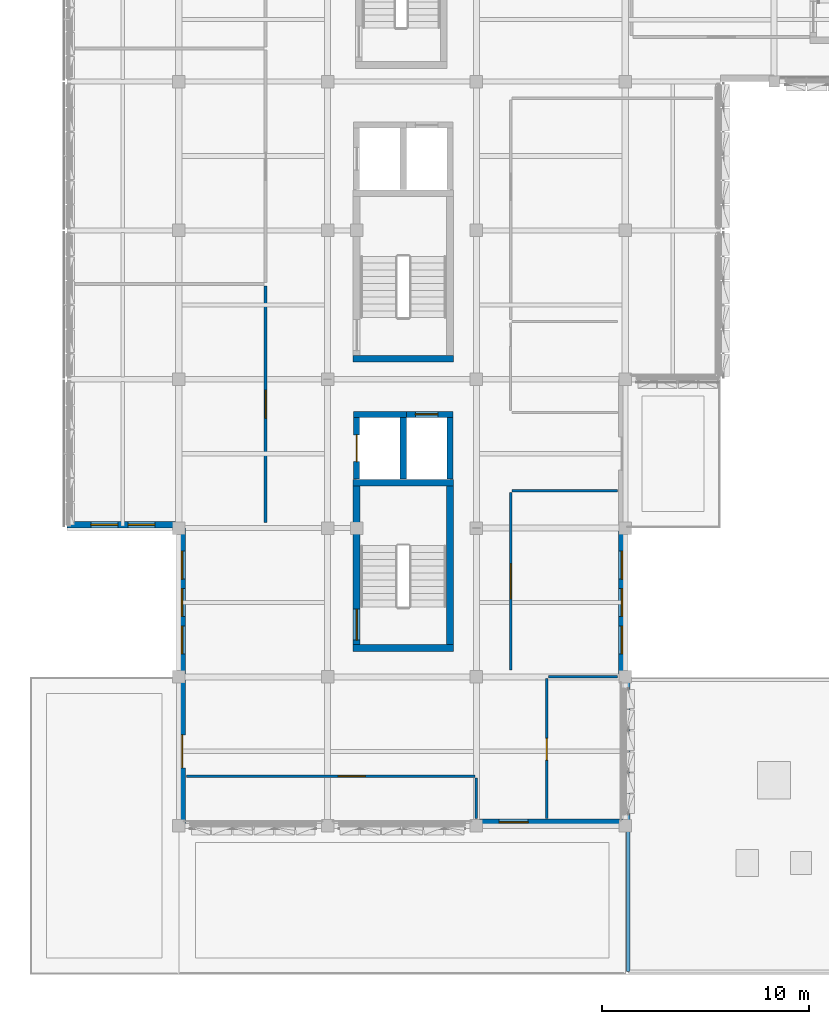
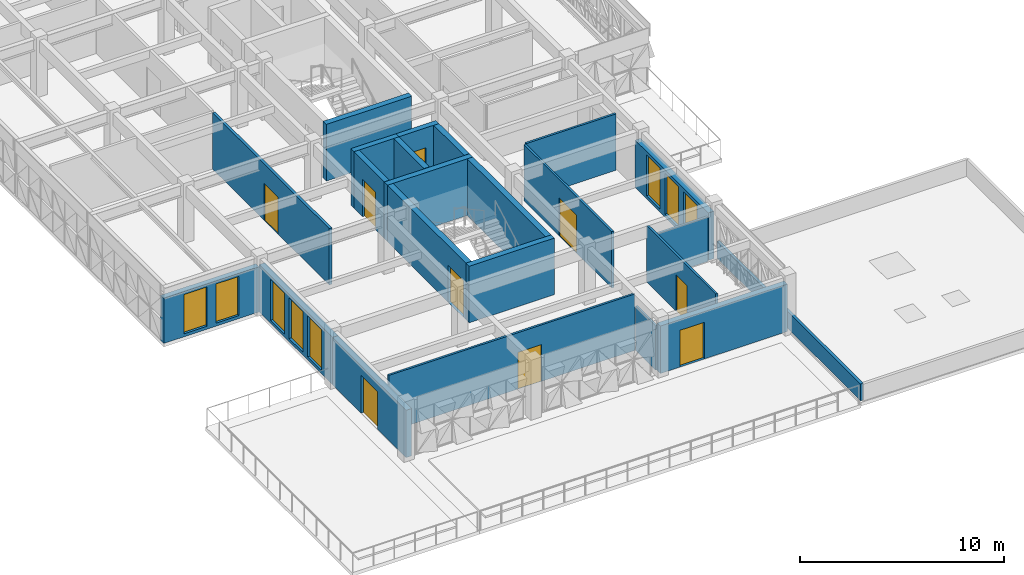
# One storey, part 40 of 74: 23 walls, 9 doors, 8 windows, 17 openings.
"""IFC4 building model written with IfcOpenShell, lengths in metres."""

from ifc_helpers import new_model, si_unit, direction, frame, frame_2d, origin, place, context, subcontext, project, spatial, rectangle, extrude, material, layer, layer_set, type_object, element, fill, save


model = new_model("IFC4")

# Units and contexts
model_context = context("Model", 3, precision=1e-05, world=origin(), true_north=direction((0.0, 1.0)))
body_context = subcontext(model_context, "Body", "Model", "MODEL_VIEW")
ifc_project = project(units=[si_unit("LENGTHUNIT", "METRE"), si_unit("AREAUNIT", "SQUARE_METRE"), si_unit("VOLUMEUNIT", "CUBIC_METRE"), si_unit("PLANEANGLEUNIT", "RADIAN"), si_unit("MASSUNIT", "GRAM", prefix="KILO")], contexts=[model_context])

# Site, building, storey
site_placement = place(None, origin())
site = spatial("IfcSite", under=ifc_project, at=site_placement, CompositionType="ELEMENT")
building_placement = place(site_placement, origin())
building = spatial("IfcBuilding", under=site, at=building_placement, Name="Alvorim Cloister Faculty of Sciences", CompositionType="ELEMENT")
storey_placement = place(building_placement, frame((0.0, 0.0, 15.75)))
storey = spatial("IfcBuildingStorey", under=building, at=storey_placement, Name="L04", CompositionType="ELEMENT", Elevation=15.75)

# Wall, opening, door
ifc_material_1 = material(Name="Precast Concrete C40", Category="concrete")
ifc_layer_1 = layer(ifc_material_1, 0.320068359375)
ifc_layer_set_1 = layer_set([ifc_layer_1], Name="Precast Concrete C40")
wall_type_1 = type_object("IfcWallType", Name="WL-EXT-PC-320", PredefinedType="SOLIDWALL", material=ifc_layer_set_1)
wall_1_placement = place(storey_placement, frame((7.360107421875, 7.199951171875, 0.0), z_axis=(0.0, 0.0, 1.0), x_axis=(0.0, 1.0, 0.0)))
wall_1 = element("IfcWall", 1, at=wall_1_placement, inside=storey, type_object=wall_type_1, Name="L04 Exterior Wall WL-0209", PredefinedType="SOLIDWALL", context=body_context, shape_type="SweptSolid", body=[
    extrude(rectangle(XDim=7.199951171875, YDim=0.320068359375, at=frame_2d((3.60009765625, 0.0))), origin(), (0.0, 0.0, 1.0), 2.840087890625),
])
opening_1_placement = place(wall_1_placement, frame((2.800048828125, 0.0, 0.0)))
opening_1 = element("IfcOpeningElement", 2, at=opening_1_placement, cuts=wall_1, Name="Opening TD-05", PredefinedType="OPENING", context=body_context, shape_type="SweptSolid", body=[
    extrude(rectangle(XDim=1.60009765625, YDim=2.25, at=frame_2d((0.800048828125, 1.125))), frame((0.0, 0.171875, 0.0), z_axis=(0.0, -1.0, 0.0), x_axis=(1.0, 0.0, 0.0)), (0.0, 0.0, 1.0), 0.343994140625),
])
ifc_material_2 = material(Name="Aluminium Alloy 6063-T6", Category="aluminium")
door_type_1 = type_object("IfcDoorType", Name="DR-TER-1600x2250", OperationType="NOTDEFINED", PredefinedType="DOOR", material=ifc_material_2)
door_1_placement = place(opening_1_placement, origin())
door_1 = element("IfcDoor", 3, at=door_1_placement, inside=storey, type_object=door_type_1, Name="L04 Corner Forecourt West Sky Garden Access Door TD-05", OperationType="DOUBLE_DOOR_SINGLE_SWING", OverallHeight=2.25, OverallWidth=1.60009765625, PredefinedType="DOOR", context=body_context, shape_type="SweptSolid", body=[
    extrude(rectangle(XDim=1.60009765625, YDim=2.25, at=frame_2d((0.800048828125, 1.125))), frame((0.0, 0.02490234375, 0.0), z_axis=(0.0, -1.0, 0.0), x_axis=(1.0, 0.0, 0.0)), (0.0, 0.0, 1.0), 0.050048828125),
])
fill(opening_1, door_1)

# Wall, openings, windows
wall_2_placement = place(storey_placement, frame((7.360107421875, 14.39990234375, 0.0), z_axis=(0.0, 0.0, 1.0), x_axis=(0.0, 1.0, 0.0)))
wall_2 = element("IfcWall", 4, at=wall_2_placement, inside=storey, type_object=wall_type_1, Name="L04 Exterior Wall WL-0210", PredefinedType="SOLIDWALL", context=body_context, shape_type="SweptSolid", body=[
    extrude(rectangle(XDim=7.2001953125, YDim=0.320068359375, at=frame_2d((3.60009765625, 0.0))), origin(), (0.0, 0.0, 1.0), 2.840087890625),
])
opening_2_placement = place(wall_2_placement, frame((1.112548828125, 0.0, 0.179931640625)))
opening_2 = element("IfcOpeningElement", 5, at=opening_2_placement, cuts=wall_2, Name="Opening W-18", PredefinedType="OPENING", context=body_context, shape_type="SweptSolid", body=[
    extrude(rectangle(XDim=1.35009765625, YDim=2.449951171875, at=frame_2d((0.675048828125, 1.22509765625))), frame((0.0, 0.171875, 0.0), z_axis=(0.0, -1.0, 0.0), x_axis=(1.0, 0.0, 0.0)), (0.0, 0.0, 1.0), 0.343994140625),
])
opening_3_placement = place(wall_2_placement, frame((2.925048828125, 0.0, 0.179931640625)))
opening_3 = element("IfcOpeningElement", 6, at=opening_3_placement, cuts=wall_2, Name="Opening W-18", PredefinedType="OPENING", context=body_context, shape_type="SweptSolid", body=[
    extrude(rectangle(XDim=1.35009765625, YDim=2.449951171875, at=frame_2d((0.675048828125, 1.22509765625))), frame((0.0, 0.171875, 0.0), z_axis=(0.0, -1.0, 0.0), x_axis=(1.0, 0.0, 0.0)), (0.0, 0.0, 1.0), 0.343994140625),
])
opening_4_placement = place(wall_2_placement, frame((4.737548828125, 0.0, 0.179931640625)))
opening_4 = element("IfcOpeningElement", 7, at=opening_4_placement, cuts=wall_2, Name="Opening W-18", PredefinedType="OPENING", context=body_context, shape_type="SweptSolid", body=[
    extrude(rectangle(XDim=1.35009765625, YDim=2.449951171875, at=frame_2d((0.675048828125, 1.22509765625))), frame((0.0, 0.171875, 0.0), z_axis=(0.0, -1.0, 0.0), x_axis=(1.0, 0.0, 0.0)), (0.0, 0.0, 1.0), 0.343994140625),
])
ifc_material_3 = material(Name="Double Low-E Laminated Glass", Category="glass")
window_type_1 = type_object("IfcWindowType", Name="WN-LAB-1350x2450", PartitioningType="SINGLE_PANEL", PredefinedType="WINDOW", material=ifc_material_3)
window_1_placement = place(opening_2_placement, origin())
window_1 = element("IfcWindow", 8, at=window_1_placement, inside=storey, type_object=window_type_1, Name="L04 Full-Height Entrance Atrium Glazed Bay WN-0245", OverallHeight=2.449951171875, OverallWidth=1.35009765625, PartitioningType="SINGLE_PANEL", PredefinedType="WINDOW", context=body_context, shape_type="SweptSolid", body=[
    extrude(rectangle(XDim=1.35009765625, YDim=2.449951171875, at=frame_2d((0.675048828125, 1.22509765625))), frame((0.0, 0.030029296875, 0.0), z_axis=(0.0, -1.0, 0.0), x_axis=(1.0, 0.0, 0.0)), (0.0, 0.0, 1.0), 0.06005859375),
])
fill(opening_2, window_1)
window_2_placement = place(opening_3_placement, origin())
window_2 = element("IfcWindow", 9, at=window_2_placement, inside=storey, type_object=window_type_1, Name="L04 Full-Height Entrance Atrium Glazed Bay WN-0246", OverallHeight=2.449951171875, OverallWidth=1.35009765625, PartitioningType="SINGLE_PANEL", PredefinedType="WINDOW", context=body_context, shape_type="SweptSolid", body=[
    extrude(rectangle(XDim=1.35009765625, YDim=2.449951171875, at=frame_2d((0.675048828125, 1.22509765625))), frame((0.0, 0.030029296875, 0.0), z_axis=(0.0, -1.0, 0.0), x_axis=(1.0, 0.0, 0.0)), (0.0, 0.0, 1.0), 0.06005859375),
])
fill(opening_3, window_2)
window_3_placement = place(opening_4_placement, origin())
window_3 = element("IfcWindow", 10, at=window_3_placement, inside=storey, type_object=window_type_1, Name="L04 Full-Height Entrance Atrium Glazed Bay WN-0247", OverallHeight=2.449951171875, OverallWidth=1.35009765625, PartitioningType="SINGLE_PANEL", PredefinedType="WINDOW", context=body_context, shape_type="SweptSolid", body=[
    extrude(rectangle(XDim=1.35009765625, YDim=2.449951171875, at=frame_2d((0.675048828125, 1.22509765625))), frame((0.0, 0.030029296875, 0.0), z_axis=(0.0, -1.0, 0.0), x_axis=(1.0, 0.0, 0.0)), (0.0, 0.0, 1.0), 0.06005859375),
])
fill(opening_4, window_3)

wall_3_placement = place(storey_placement, frame((1.800048828125, 21.760009765625, 0.0), z_axis=(0.0, 0.0, 1.0), x_axis=(1.0, 0.0, 0.0)))
wall_3 = element("IfcWall", 11, at=wall_3_placement, inside=storey, type_object=wall_type_1, Name="L04 Exterior Wall WL-0211", PredefinedType="SOLIDWALL", context=body_context, shape_type="SweptSolid", body=[
    extrude(rectangle(XDim=5.39990234375, YDim=0.320068359375, at=frame_2d((2.699951171875, 0.0))), origin(), (0.0, 0.0, 1.0), 2.696044921875),
])
opening_5_placement = place(wall_3_placement, frame((1.14990234375, 0.0, 0.179931640625)))
opening_5 = element("IfcOpeningElement", 12, at=opening_5_placement, cuts=wall_3, Name="Opening W-21", PredefinedType="OPENING", context=body_context, shape_type="SweptSolid", body=[
    extrude(rectangle(XDim=1.300048828125, YDim=2.35009765625, at=frame_2d((0.64990234375, 1.175048828125))), frame((0.0, 0.171875, 0.0), z_axis=(0.0, -1.0, 0.0), x_axis=(1.0, 0.0, 0.0)), (0.0, 0.0, 1.0), 0.343994140625),
])
opening_6_placement = place(wall_3_placement, frame((2.949951171875, 0.0, 0.179931640625)))
opening_6 = element("IfcOpeningElement", 13, at=opening_6_placement, cuts=wall_3, Name="Opening W-21", PredefinedType="OPENING", context=body_context, shape_type="SweptSolid", body=[
    extrude(rectangle(XDim=1.300048828125, YDim=2.35009765625, at=frame_2d((0.64990234375, 1.175048828125))), frame((0.0, 0.171875, 0.0), z_axis=(0.0, -1.0, 0.0), x_axis=(1.0, 0.0, 0.0)), (0.0, 0.0, 1.0), 0.343994140625),
])
window_type_2 = type_object("IfcWindowType", Name="WN-OFF-1300x2350", PartitioningType="SINGLE_PANEL", PredefinedType="WINDOW", material=ifc_material_3)
window_4_placement = place(opening_5_placement, origin())
window_4 = element("IfcWindow", 14, at=window_4_placement, inside=storey, type_object=window_type_2, Name="L04 Full-Height Entrance Atrium Glazed Bay WN-0248", OverallHeight=2.35009765625, OverallWidth=1.300048828125, PartitioningType="SINGLE_PANEL", PredefinedType="WINDOW", context=body_context, shape_type="SweptSolid", body=[
    extrude(rectangle(XDim=1.300048828125, YDim=2.35009765625, at=frame_2d((0.64990234375, 1.175048828125))), frame((0.0, 0.030029296875, 0.0), z_axis=(0.0, -1.0, 0.0), x_axis=(1.0, 0.0, 0.0)), (0.0, 0.0, 1.0), 0.06005859375),
])
fill(opening_5, window_4)
window_5_placement = place(opening_6_placement, origin())
window_5 = element("IfcWindow", 15, at=window_5_placement, inside=storey, type_object=window_type_2, Name="L04 Full-Height Entrance Atrium Glazed Bay WN-0249", OverallHeight=2.35009765625, OverallWidth=1.300048828125, PartitioningType="SINGLE_PANEL", PredefinedType="WINDOW", context=body_context, shape_type="SweptSolid", body=[
    extrude(rectangle(XDim=1.300048828125, YDim=2.35009765625, at=frame_2d((0.64990234375, 1.175048828125))), frame((0.0, 0.030029296875, 0.0), z_axis=(0.0, -1.0, 0.0), x_axis=(1.0, 0.0, 0.0)), (0.0, 0.0, 1.0), 0.06005859375),
])
fill(opening_6, window_5)

wall_4_placement = place(storey_placement, frame((28.639892578125, 14.39990234375, 0.0), z_axis=(0.0, 0.0, 1.0), x_axis=(0.0, 1.0, 0.0)))
wall_4 = element("IfcWall", 16, at=wall_4_placement, inside=storey, type_object=wall_type_1, Name="L04 Exterior Wall WL-0217", PredefinedType="SOLIDWALL", context=body_context, shape_type="SweptSolid", body=[
    extrude(rectangle(XDim=7.2001953125, YDim=0.320068359375, at=frame_2d((3.60009765625, 0.0))), origin(), (0.0, 0.0, 1.0), 2.840087890625),
])
opening_7_placement = place(wall_4_placement, frame((1.112548828125, 0.0, 0.179931640625)))
opening_7 = element("IfcOpeningElement", 17, at=opening_7_placement, cuts=wall_4, Name="Opening W-18", PredefinedType="OPENING", context=body_context, shape_type="SweptSolid", body=[
    extrude(rectangle(XDim=1.35009765625, YDim=2.449951171875, at=frame_2d((0.675048828125, 1.22509765625))), frame((0.0, 0.171875, 0.0), z_axis=(0.0, -1.0, 0.0), x_axis=(1.0, 0.0, 0.0)), (0.0, 0.0, 1.0), 0.343994140625),
])
opening_8_placement = place(wall_4_placement, frame((2.925048828125, 0.0, 0.179931640625)))
opening_8 = element("IfcOpeningElement", 18, at=opening_8_placement, cuts=wall_4, Name="Opening W-18", PredefinedType="OPENING", context=body_context, shape_type="SweptSolid", body=[
    extrude(rectangle(XDim=1.35009765625, YDim=2.449951171875, at=frame_2d((0.675048828125, 1.22509765625))), frame((0.0, 0.171875, 0.0), z_axis=(0.0, -1.0, 0.0), x_axis=(1.0, 0.0, 0.0)), (0.0, 0.0, 1.0), 0.343994140625),
])
opening_9_placement = place(wall_4_placement, frame((4.737548828125, 0.0, 0.179931640625)))
opening_9 = element("IfcOpeningElement", 19, at=opening_9_placement, cuts=wall_4, Name="Opening W-18", PredefinedType="OPENING", context=body_context, shape_type="SweptSolid", body=[
    extrude(rectangle(XDim=1.35009765625, YDim=2.449951171875, at=frame_2d((0.675048828125, 1.22509765625))), frame((0.0, 0.171875, 0.0), z_axis=(0.0, -1.0, 0.0), x_axis=(1.0, 0.0, 0.0)), (0.0, 0.0, 1.0), 0.343994140625),
])
window_6_placement = place(opening_7_placement, origin())
window_6 = element("IfcWindow", 20, at=window_6_placement, inside=storey, type_object=window_type_1, Name="L04 Full-Height Entrance Atrium Glazed Bay WN-0250", OverallHeight=2.449951171875, OverallWidth=1.35009765625, PartitioningType="SINGLE_PANEL", PredefinedType="WINDOW", context=body_context, shape_type="SweptSolid", body=[
    extrude(rectangle(XDim=1.35009765625, YDim=2.449951171875, at=frame_2d((0.675048828125, 1.22509765625))), frame((0.0, 0.030029296875, 0.0), z_axis=(0.0, -1.0, 0.0), x_axis=(1.0, 0.0, 0.0)), (0.0, 0.0, 1.0), 0.06005859375),
])
fill(opening_7, window_6)
window_7_placement = place(opening_8_placement, origin())
window_7 = element("IfcWindow", 21, at=window_7_placement, inside=storey, type_object=window_type_1, Name="L04 Full-Height Entrance Atrium Glazed Bay WN-0251", OverallHeight=2.449951171875, OverallWidth=1.35009765625, PartitioningType="SINGLE_PANEL", PredefinedType="WINDOW", context=body_context, shape_type="SweptSolid", body=[
    extrude(rectangle(XDim=1.35009765625, YDim=2.449951171875, at=frame_2d((0.675048828125, 1.22509765625))), frame((0.0, 0.030029296875, 0.0), z_axis=(0.0, -1.0, 0.0), x_axis=(1.0, 0.0, 0.0)), (0.0, 0.0, 1.0), 0.06005859375),
])
fill(opening_8, window_7)
window_8_placement = place(opening_9_placement, origin())
window_8 = element("IfcWindow", 22, at=window_8_placement, inside=storey, type_object=window_type_1, Name="L04 Full-Height Entrance Atrium Glazed Bay WN-0252", OverallHeight=2.449951171875, OverallWidth=1.35009765625, PartitioningType="SINGLE_PANEL", PredefinedType="WINDOW", context=body_context, shape_type="SweptSolid", body=[
    extrude(rectangle(XDim=1.35009765625, YDim=2.449951171875, at=frame_2d((0.675048828125, 1.22509765625))), frame((0.0, 0.030029296875, 0.0), z_axis=(0.0, -1.0, 0.0), x_axis=(1.0, 0.0, 0.0)), (0.0, 0.0, 1.0), 0.06005859375),
])
fill(opening_9, window_8)

# Wall, opening, door
wall_5_placement = place(storey_placement, frame((21.60009765625, 7.360107421875, 0.0), z_axis=(0.0, 0.0, 1.0), x_axis=(1.0, 0.0, 0.0)))
wall_5 = element("IfcWall", 23, at=wall_5_placement, inside=storey, type_object=wall_type_1, Name="L04 Exterior Wall WL-0218", PredefinedType="SOLIDWALL", context=body_context, shape_type="SweptSolid", body=[
    extrude(rectangle(XDim=7.199951171875, YDim=0.320068359375, at=frame_2d((3.60009765625, 0.0))), origin(), (0.0, 0.0, 1.0), 2.840087890625),
])
opening_10_placement = place(wall_5_placement, frame((1.10009765625, 0.0, 0.0)))
opening_10 = element("IfcOpeningElement", 24, at=opening_10_placement, cuts=wall_5, Name="Opening TD-06", PredefinedType="OPENING", context=body_context, shape_type="SweptSolid", body=[
    extrude(rectangle(XDim=1.39990234375, YDim=2.199951171875, at=frame_2d((0.699951171875, 1.10009765625))), frame((0.0, 0.171875, 0.0), z_axis=(0.0, -1.0, 0.0), x_axis=(1.0, 0.0, 0.0)), (0.0, 0.0, 1.0), 0.343994140625),
])
door_type_2 = type_object("IfcDoorType", Name="DR-TER-1400x2200", OperationType="NOTDEFINED", PredefinedType="DOOR", material=ifc_material_2)
door_2_placement = place(opening_10_placement, origin())
door_2 = element("IfcDoor", 25, at=door_2_placement, inside=storey, type_object=door_type_2, Name="L04 Corner Forecourt South Sky Garden Access Door TD-06", OperationType="DOUBLE_DOOR_SINGLE_SWING", OverallHeight=2.199951171875, OverallWidth=1.39990234375, PredefinedType="DOOR", context=body_context, shape_type="SweptSolid", body=[
    extrude(rectangle(XDim=1.39990234375, YDim=2.199951171875, at=frame_2d((0.699951171875, 1.10009765625))), frame((0.0, 0.02490234375, 0.0), z_axis=(0.0, -1.0, 0.0), x_axis=(1.0, 0.0, 0.0)), (0.0, 0.0, 1.0), 0.050048828125),
])
fill(opening_10, door_2)

# Walls
ifc_layer_2 = layer(ifc_material_1, 0.159912109375)
ifc_layer_set_2 = layer_set([ifc_layer_2], Name="Precast Concrete C40")
wall_type_2 = type_object("IfcWallType", Name="WL-PAR-160", PredefinedType="PARAPET", material=ifc_layer_set_2)
wall_6_placement = place(storey_placement, frame((28.949951171875, 14.25, 0.10009765625), z_axis=(0.0, 0.0, 1.0), x_axis=(0.0, -1.0, 0.0)))
element("IfcWall", 26, at=wall_6_placement, inside=storey, type_object=wall_type_2, Name="RF-V4S Roof Parapet WL-PAR-0257", PredefinedType="PARAPET", context=body_context, shape_type="SweptSolid", body=[
    extrude(rectangle(XDim=14.10009765625, YDim=0.159912109375, at=frame_2d((7.050048828125, 0.0))), origin(), (0.0, 0.0, 1.0), 1.0),
])
ifc_material_4 = material(Name="Acoustic Gypsum Stud Partition", Category="gypsum")
ifc_layer_3 = layer(ifc_material_4, 0.1201171875)
ifc_layer_set_3 = layer_set([ifc_layer_3], Name="Acoustic Gypsum Stud Partition")
wall_type_3 = type_object("IfcWallType", Name="WL-PRT-120", PredefinedType="PARTITIONING", material=ifc_layer_set_3)
wall_7_placement = place(storey_placement, frame((21.60009765625, 7.56005859375, 0.0), z_axis=(0.0, 0.0, 1.0), x_axis=(0.0, 1.0, 0.0)))
element("IfcWall", 27, at=wall_7_placement, inside=storey, type_object=wall_type_3, Name="L04 South Forecourt Seminar Room 401 Partition IWL-0614", PredefinedType="PARTITIONING", context=body_context, shape_type="SweptSolid", body=[
    extrude(rectangle(XDim=1.9599609375, YDim=0.1201171875, at=frame_2d((0.97998046875, 0.0))), origin(), (0.0, 0.0, 1.0), 2.655029296875),
])

# Wall, opening, door
wall_8_placement = place(storey_placement, frame((7.580078125, 9.60009765625, 0.0), z_axis=(0.0, 0.0, 1.0), x_axis=(1.0, 0.0, 0.0)))
wall_8 = element("IfcWall", 28, at=wall_8_placement, inside=storey, type_object=wall_type_3, Name="L04 South Forecourt Seminar Room 401 Partition IWL-0615", PredefinedType="PARTITIONING", context=body_context, shape_type="SweptSolid", body=[
    extrude(rectangle(XDim=13.93994140625, YDim=0.1201171875, at=frame_2d((6.969970703125, 0.0))), origin(), (0.0, 0.0, 1.0), 3.375),
])
opening_11_placement = place(wall_8_placement, frame((7.324951171875, 0.0, 0.0)))
opening_11 = element("IfcOpeningElement", 29, at=opening_11_placement, cuts=wall_8, Name="Opening D-L04-165", PredefinedType="OPENING", context=body_context, shape_type="SweptSolid", body=[
    extrude(rectangle(XDim=1.320068359375, YDim=2.199951171875, at=frame_2d((0.66015625, 1.10009765625))), frame((0.0, 0.072021484375, 0.0), z_axis=(0.0, -1.0, 0.0), x_axis=(1.0, 0.0, 0.0)), (0.0, 0.0, 1.0), 0.14404296875),
])
ifc_material_5 = material(Name="Solid Acoustic Oak Timber", Category="wood")
door_type_3 = type_object("IfcDoorType", Name="DR-SEM-1320x2200", OperationType="NOTDEFINED", PredefinedType="DOOR", material=ifc_material_5)
door_3_placement = place(opening_11_placement, origin())
door_3 = element("IfcDoor", 30, at=door_3_placement, inside=storey, type_object=door_type_3, Name="South Forecourt Seminar Room 401 Door D-L04-165", OperationType="SINGLE_SWING_RIGHT", OverallHeight=2.199951171875, OverallWidth=1.320068359375, PredefinedType="DOOR", context=body_context, shape_type="SweptSolid", body=[
    extrude(rectangle(XDim=1.320068359375, YDim=2.199951171875, at=frame_2d((0.66015625, 1.10009765625))), frame((0.0, 0.02490234375, 0.0), z_axis=(0.0, -1.0, 0.0), x_axis=(1.0, 0.0, 0.0)), (0.0, 0.0, 1.0), 0.050048828125),
])
fill(opening_11, door_3)

wall_9_placement = place(storey_placement, frame((25.0, 7.56005859375, 0.0), z_axis=(0.0, 0.0, 1.0), x_axis=(0.0, 1.0, 0.0)))
wall_9 = element("IfcWall", 31, at=wall_9_placement, inside=storey, type_object=wall_type_3, Name="L04 South Forecourt Faculty Offices Partition IWL-0616", PredefinedType="PARTITIONING", context=body_context, shape_type="SweptSolid", body=[
    extrude(rectangle(XDim=6.760009765625, YDim=0.1201171875, at=frame_2d((3.3798828125, 0.0))), origin(), (0.0, 0.0, 1.0), 3.375),
])
opening_12_placement = place(wall_9_placement, frame((2.81494140625, 0.0, 0.0)))
opening_12 = element("IfcOpeningElement", 32, at=opening_12_placement, cuts=wall_9, Name="Opening D-L04-166", PredefinedType="OPENING", context=body_context, shape_type="SweptSolid", body=[
    extrude(rectangle(XDim=1.050048828125, YDim=2.179931640625, at=frame_2d((0.52490234375, 1.08984375))), frame((0.0, 0.072021484375, 0.0), z_axis=(0.0, -1.0, 0.0), x_axis=(1.0, 0.0, 0.0)), (0.0, 0.0, 1.0), 0.14404296875),
])
door_type_4 = type_object("IfcDoorType", Name="DR-OFF-1050x2180", OperationType="NOTDEFINED", PredefinedType="DOOR", material=ifc_material_5)
door_4_placement = place(opening_12_placement, origin())
door_4 = element("IfcDoor", 33, at=door_4_placement, inside=storey, type_object=door_type_4, Name="South Forecourt Faculty Offices Door D-L04-166", OperationType="SINGLE_SWING_LEFT", OverallHeight=2.179931640625, OverallWidth=1.050048828125, PredefinedType="DOOR", context=body_context, shape_type="SweptSolid", body=[
    extrude(rectangle(XDim=1.050048828125, YDim=2.179931640625, at=frame_2d((0.52490234375, 1.08984375))), frame((0.0, 0.02490234375, 0.0), z_axis=(0.0, -1.0, 0.0), x_axis=(1.0, 0.0, 0.0)), (0.0, 0.0, 1.0), 0.050048828125),
])
fill(opening_12, door_4)

# Wall
wall_10_placement = place(storey_placement, frame((25.080078125, 14.39990234375, 0.0), z_axis=(0.0, 0.0, 1.0), x_axis=(1.0, 0.0, 0.0)))
element("IfcWall", 34, at=wall_10_placement, inside=storey, type_object=wall_type_3, Name="L04 South Forecourt Faculty Offices Partition IWL-0617", PredefinedType="PARTITIONING", context=body_context, shape_type="SweptSolid", body=[
    extrude(rectangle(XDim=3.33984375, YDim=0.1201171875, at=frame_2d((1.669921875, 0.0))), origin(), (0.0, 0.0, 1.0), 2.655029296875),
])

# Wall, opening, door
wall_11_placement = place(storey_placement, frame((23.25, 14.72998046875, 0.0), z_axis=(0.0, 0.0, 1.0), x_axis=(0.0, 1.0, 0.0)))
wall_11 = element("IfcWall", 35, at=wall_11_placement, inside=storey, type_object=wall_type_3, Name="L04 Atrium East Reading Gallery Partition IWL-0624", PredefinedType="PARTITIONING", context=body_context, shape_type="SweptSolid", body=[
    extrude(rectangle(XDim=8.590087890625, YDim=0.1201171875, at=frame_2d((4.294921875, 0.0))), origin(), (0.0, 0.0, 1.0), 3.375),
])
opening_13_placement = place(wall_11_placement, frame((3.445068359375, 0.0, 0.0)))
opening_13 = element("IfcOpeningElement", 36, at=opening_13_placement, cuts=wall_11, Name="Opening D-L04-170", PredefinedType="OPENING", context=body_context, shape_type="SweptSolid", body=[
    extrude(rectangle(XDim=1.699951171875, YDim=2.280029296875, at=frame_2d((0.85009765625, 1.14013671875))), frame((0.0, 0.072021484375, 0.0), z_axis=(0.0, -1.0, 0.0), x_axis=(1.0, 0.0, 0.0)), (0.0, 0.0, 1.0), 0.14404296875),
])
door_type_5 = type_object("IfcDoorType", Name="DR-HALL-1700x2280", OperationType="NOTDEFINED", PredefinedType="DOOR", material=ifc_material_5)
door_5_placement = place(opening_13_placement, origin())
door_5 = element("IfcDoor", 37, at=door_5_placement, inside=storey, type_object=door_type_5, Name="Atrium East Reading Gallery Door D-L04-170", OperationType="DOUBLE_DOOR_SINGLE_SWING", OverallHeight=2.280029296875, OverallWidth=1.699951171875, PredefinedType="DOOR", context=body_context, shape_type="SweptSolid", body=[
    extrude(rectangle(XDim=1.699951171875, YDim=2.280029296875, at=frame_2d((0.85009765625, 1.14013671875))), frame((0.0, 0.02490234375, 0.0), z_axis=(0.0, -1.0, 0.0), x_axis=(1.0, 0.0, 0.0)), (0.0, 0.0, 1.0), 0.050048828125),
])
fill(opening_13, door_5)

# Wall
wall_12_placement = place(storey_placement, frame((23.330078125, 23.39990234375, 0.0), z_axis=(0.0, 0.0, 1.0), x_axis=(1.0, 0.0, 0.0)))
element("IfcWall", 38, at=wall_12_placement, inside=storey, type_object=wall_type_3, Name="L04 Atrium East Reading Gallery Partition IWL-0625", PredefinedType="PARTITIONING", context=body_context, shape_type="SweptSolid", body=[
    extrude(rectangle(XDim=5.08984375, YDim=0.1201171875, at=frame_2d((2.544921875, 0.0))), origin(), (0.0, 0.0, 1.0), 3.375),
])

# Wall, opening, door
ifc_material_6 = material(Name="Gypsum Fireboard Stud Partition", Category="gypsum")
ifc_layer_4 = layer(ifc_material_6, 0.14990234375)
ifc_layer_set_4 = layer_set([ifc_layer_4], Name="Gypsum Fireboard Stud Partition")
wall_type_4 = type_object("IfcWallType", Name="WL-PRT-150", PredefinedType="PARTITIONING", material=ifc_layer_set_4)
wall_13_placement = place(storey_placement, frame((11.39990234375, 21.8798828125, 0.0), z_axis=(0.0, 0.0, 1.0), x_axis=(0.0, 1.0, 0.0)))
wall_13 = element("IfcWall", 39, at=wall_13_placement, inside=storey, type_object=wall_type_4, Name="L04 Cantilevered Atmospheric Chemistry Lab Partition IWL-0618", PredefinedType="PARTITIONING", context=body_context, shape_type="SweptSolid", body=[
    extrude(rectangle(XDim=11.440185546875, YDim=0.14990234375, at=frame_2d((5.72021484375, 0.0))), origin(), (0.0, 0.0, 1.0), 3.375),
])
opening_14_placement = place(wall_13_placement, frame((5.044921875, 0.0, 0.0)))
opening_14 = element("IfcOpeningElement", 40, at=opening_14_placement, cuts=wall_13, Name="Opening D-L04-167", PredefinedType="OPENING", context=body_context, shape_type="SweptSolid", body=[
    extrude(rectangle(XDim=1.35009765625, YDim=2.199951171875, at=frame_2d((0.675048828125, 1.10009765625))), frame((0.0, 0.0869140625, 0.0), z_axis=(0.0, -1.0, 0.0), x_axis=(1.0, 0.0, 0.0)), (0.0, 0.0, 1.0), 0.173828125),
])
ifc_material_7 = material(Name="Fire-Rated Laminate Timber", Category="wood")
door_type_6 = type_object("IfcDoorType", Name="DR-LAB-1350x2200", OperationType="NOTDEFINED", PredefinedType="DOOR", material=ifc_material_7)
door_6_placement = place(opening_14_placement, origin())
door_6 = element("IfcDoor", 41, at=door_6_placement, inside=storey, type_object=door_type_6, Name="Cantilevered Atmospheric Chemistry Lab Door D-L04-167", OperationType="SINGLE_SWING_RIGHT", OverallHeight=2.199951171875, OverallWidth=1.35009765625, PredefinedType="DOOR", context=body_context, shape_type="SweptSolid", body=[
    extrude(rectangle(XDim=1.35009765625, YDim=2.199951171875, at=frame_2d((0.675048828125, 1.10009765625))), frame((0.0, 0.02490234375, 0.0), z_axis=(0.0, -1.0, 0.0), x_axis=(1.0, 0.0, 0.0)), (0.0, 0.0, 1.0), 0.050048828125),
])
fill(opening_14, door_6)

# Wall
ifc_material_8 = material(Name="Concrete C40", Category="concrete")
ifc_layer_5 = layer(ifc_material_8, 0.300048828125)
ifc_layer_set_5 = layer_set([ifc_layer_5], Name="Concrete C40")
wall_type_5 = type_object("IfcWallType", Name="WL-SHR-300", PredefinedType="SHEAR", material=ifc_layer_set_5)
wall_14_placement = place(storey_placement, frame((15.64990234375, 27.10009765625, 0.0), z_axis=(0.0, 0.0, 1.0), x_axis=(1.0, 0.0, 0.0)))
element("IfcWall", 42, at=wall_14_placement, inside=storey, type_object=wall_type_5, Name="L04 Lift LF-01 Shaft Wall IWL-0248", PredefinedType="SHEAR", context=body_context, shape_type="SweptSolid", body=[
    extrude(rectangle(XDim=2.56005859375, YDim=0.300048828125, at=frame_2d((1.280029296875, 0.0))), origin(), (0.0, 0.0, 1.0), 3.389892578125),
])

# Wall, opening, door
wall_15_placement = place(storey_placement, frame((15.800048828125, 23.97998046875, 0.0), z_axis=(0.0, 0.0, 1.0), x_axis=(0.0, 1.0, 0.0)))
wall_15 = element("IfcWall", 43, at=wall_15_placement, inside=storey, type_object=wall_type_5, Name="L04 Lift LF-01 Shaft Wall IWL-0249", PredefinedType="SHEAR", context=body_context, shape_type="SweptSolid", body=[
    extrude(rectangle(XDim=2.969970703125, YDim=0.300048828125, at=frame_2d((1.48486328125, 0.0))), origin(), (0.0, 0.0, 1.0), 3.389892578125),
])
opening_15_placement = place(wall_15_placement, frame((0.8349609375, 0.0, 0.0)))
opening_15 = element("IfcOpeningElement", 44, at=opening_15_placement, cuts=wall_15, Name="Opening LD-006", PredefinedType="OPENING", context=body_context, shape_type="SweptSolid", body=[
    extrude(rectangle(XDim=1.300048828125, YDim=2.25, at=frame_2d((0.64990234375, 1.125))), frame((0.0, 0.162109375, 0.0), z_axis=(0.0, -1.0, 0.0), x_axis=(1.0, 0.0, 0.0)), (0.0, 0.0, 1.0), 0.323974609375),
])
ifc_material_9 = material(Name="Brushed Stainless Steel", Category="steel")
door_type_7 = type_object("IfcDoorType", Name="DR-LFT-1300x2250", OperationType="NOTDEFINED", PredefinedType="DOOR", material=ifc_material_9)
door_7_placement = place(opening_15_placement, origin())
door_7 = element("IfcDoor", 45, at=door_7_placement, inside=storey, type_object=door_type_7, Name="L04 Lift LF-01 Sliding Landing Door LD-006", OperationType="DOUBLE_DOOR_SLIDING", OverallHeight=2.25, OverallWidth=1.300048828125, PredefinedType="DOOR", context=body_context, shape_type="SweptSolid", body=[
    extrude(rectangle(XDim=1.300048828125, YDim=2.25, at=frame_2d((0.64990234375, 1.125))), frame((0.0, 0.02490234375, 0.0), z_axis=(0.0, -1.0, 0.0), x_axis=(1.0, 0.0, 0.0)), (0.0, 0.0, 1.0), 0.050048828125),
])
fill(opening_15, door_7)

# Wall
wall_16_placement = place(storey_placement, frame((18.06005859375, 23.97998046875, 0.0), z_axis=(0.0, 0.0, 1.0), x_axis=(0.0, 1.0, 0.0)))
element("IfcWall", 46, at=wall_16_placement, inside=storey, type_object=wall_type_5, Name="L04 Lift LF-01 Shaft Wall IWL-0250", PredefinedType="SHEAR", context=body_context, shape_type="SweptSolid", body=[
    extrude(rectangle(XDim=2.969970703125, YDim=0.300048828125, at=frame_2d((1.48486328125, 0.0))), origin(), (0.0, 0.0, 1.0), 3.389892578125),
])

# Wall, opening, door
wall_17_placement = place(storey_placement, frame((17.909912109375, 27.10009765625, 0.0), z_axis=(0.0, 0.0, 1.0), x_axis=(1.0, 0.0, 0.0)))
wall_17 = element("IfcWall", 47, at=wall_17_placement, inside=storey, type_object=wall_type_5, Name="L04 Lift LP-01 Shaft Wall IWL-0276", PredefinedType="SHEAR", context=body_context, shape_type="SweptSolid", body=[
    extrude(rectangle(XDim=2.56005859375, YDim=0.300048828125, at=frame_2d((1.280029296875, 0.0))), origin(), (0.0, 0.0, 1.0), 3.389892578125),
])
opening_16_placement = place(wall_17_placement, frame((0.72998046875, 0.0, 0.0)))
opening_16 = element("IfcOpeningElement", 48, at=opening_16_placement, cuts=wall_17, Name="Opening LD-017", PredefinedType="OPENING", context=body_context, shape_type="SweptSolid", body=[
    extrude(rectangle(XDim=1.10009765625, YDim=2.199951171875, at=frame_2d((0.550048828125, 1.10009765625))), frame((0.0, 0.162109375, 0.0), z_axis=(0.0, -1.0, 0.0), x_axis=(1.0, 0.0, 0.0)), (0.0, 0.0, 1.0), 0.323974609375),
])
door_type_8 = type_object("IfcDoorType", Name="DR-LFT-1100x2200", OperationType="NOTDEFINED", PredefinedType="DOOR", material=ifc_material_9)
door_8_placement = place(opening_16_placement, origin())
door_8 = element("IfcDoor", 49, at=door_8_placement, inside=storey, type_object=door_type_8, Name="L04 Lift LP-01 Sliding Landing Door LD-017", OperationType="DOUBLE_DOOR_SLIDING", OverallHeight=2.199951171875, OverallWidth=1.10009765625, PredefinedType="DOOR", context=body_context, shape_type="SweptSolid", body=[
    extrude(rectangle(XDim=1.10009765625, YDim=2.199951171875, at=frame_2d((0.550048828125, 1.10009765625))), frame((0.0, 0.02490234375, 0.0), z_axis=(0.0, -1.0, 0.0), x_axis=(1.0, 0.0, 0.0)), (0.0, 0.0, 1.0), 0.050048828125),
])
fill(opening_16, door_8)

# Walls
wall_18_placement = place(storey_placement, frame((20.320068359375, 23.97998046875, 0.0), z_axis=(0.0, 0.0, 1.0), x_axis=(0.0, 1.0, 0.0)))
element("IfcWall", 50, at=wall_18_placement, inside=storey, type_object=wall_type_5, Name="L04 Lift LP-01 Shaft Wall IWL-0277", PredefinedType="SHEAR", context=body_context, shape_type="SweptSolid", body=[
    extrude(rectangle(XDim=2.969970703125, YDim=0.300048828125, at=frame_2d((1.48486328125, 0.0))), origin(), (0.0, 0.0, 1.0), 3.389892578125),
])
ifc_layer_6 = layer(ifc_material_8, 0.320068359375)
ifc_layer_set_6 = layer_set([ifc_layer_6], Name="Concrete C40")
wall_type_6 = type_object("IfcWallType", Name="WL-SHR-320", PredefinedType="SHEAR", material=ifc_layer_set_6)
for number, where, z_axis, x_axis, name in (
    (51, (15.639892578125, 15.800048828125, 0.0), (0.0, 0.0, 1.0), (1.0, 0.0, 0.0), "L04 CORE K1 Shear Wall IWL-0021"),
    (52, (15.639892578125, 23.800048828125, 0.0), (0.0, 0.0, 1.0), (1.0, 0.0, 0.0), "L04 CORE K1 Shear Wall IWL-0022"),
):
    element("IfcWall", number, at=place(storey_placement, frame(where, z_axis=z_axis, x_axis=x_axis)), inside=storey, type_object=wall_type_6, Name=name, PredefinedType="SHEAR", context=body_context, shape_type="SweptSolid", body=[
        extrude(rectangle(XDim=4.840087890625, YDim=0.320068359375, at=frame_2d((2.419921875, 0.0))), origin(), (0.0, 0.0, 1.0), 3.389892578125),
    ])

# Wall, opening, door
wall_19_placement = place(storey_placement, frame((15.800048828125, 15.9599609375, 0.0), z_axis=(0.0, 0.0, 1.0), x_axis=(0.0, 1.0, 0.0)))
wall_19 = element("IfcWall", 53, at=wall_19_placement, inside=storey, type_object=wall_type_6, Name="L04 CORE K1 Shear Wall IWL-0023", PredefinedType="SHEAR", context=body_context, shape_type="SweptSolid", body=[
    extrude(rectangle(XDim=7.679931640625, YDim=0.320068359375, at=frame_2d((3.83984375, 0.0))), origin(), (0.0, 0.0, 1.0), 3.389892578125),
])
opening_17_placement = place(wall_19_placement, frame((0.219970703125, 0.0, 0.0)))
opening_17 = element("IfcOpeningElement", 54, at=opening_17_placement, cuts=wall_19, Name="Opening SD-K1-L04", PredefinedType="OPENING", context=body_context, shape_type="SweptSolid", body=[
    extrude(rectangle(XDim=1.5, YDim=2.199951171875, at=frame_2d((0.75, 1.10009765625))), frame((0.0, 0.171875, 0.0), z_axis=(0.0, -1.0, 0.0), x_axis=(1.0, 0.0, 0.0)), (0.0, 0.0, 1.0), 0.343994140625),
])
ifc_material_10 = material(Name="Galvanised Fire-Rated Steel", Category="steel")
door_type_9 = type_object("IfcDoorType", Name="DR-STR-1500x2200", OperationType="NOTDEFINED", PredefinedType="DOOR", material=ifc_material_10)
door_9_placement = place(opening_17_placement, origin())
door_9 = element("IfcDoor", 55, at=door_9_placement, inside=storey, type_object=door_type_9, Name="L04 Stair ST-01 Fire Door SD-K1-L04", OperationType="DOUBLE_DOOR_SINGLE_SWING", OverallHeight=2.199951171875, OverallWidth=1.5, PredefinedType="DOOR", context=body_context, shape_type="SweptSolid", body=[
    extrude(rectangle(XDim=1.5, YDim=2.199951171875, at=frame_2d((0.75, 1.10009765625))), frame((0.0, 0.02490234375, 0.0), z_axis=(0.0, -1.0, 0.0), x_axis=(1.0, 0.0, 0.0)), (0.0, 0.0, 1.0), 0.050048828125),
])
fill(opening_17, door_9)

# Walls
wall_20_placement = place(storey_placement, frame((20.320068359375, 15.9599609375, 0.0), z_axis=(0.0, 0.0, 1.0), x_axis=(0.0, 1.0, 0.0)))
element("IfcWall", 56, at=wall_20_placement, inside=storey, type_object=wall_type_6, Name="L04 CORE K1 Shear Wall IWL-0024", PredefinedType="SHEAR", context=body_context, shape_type="SweptSolid", body=[
    extrude(rectangle(XDim=7.679931640625, YDim=0.320068359375, at=frame_2d((3.83984375, 0.0))), origin(), (0.0, 0.0, 1.0), 3.389892578125),
])
wall_21_placement = place(storey_placement, frame((15.639892578125, 29.800048828125, 0.0), z_axis=(0.0, 0.0, 1.0), x_axis=(1.0, 0.0, 0.0)))
element("IfcWall", 57, at=wall_21_placement, inside=storey, type_object=wall_type_6, Name="L04 CORE K2 Shear Wall IWL-0065", PredefinedType="SHEAR", context=body_context, shape_type="SweptSolid", body=[
    extrude(rectangle(XDim=4.840087890625, YDim=0.320068359375, at=frame_2d((2.419921875, 0.0))), origin(), (0.0, 0.0, 1.0), 3.389892578125),
])

save(model, "model.ifc")
